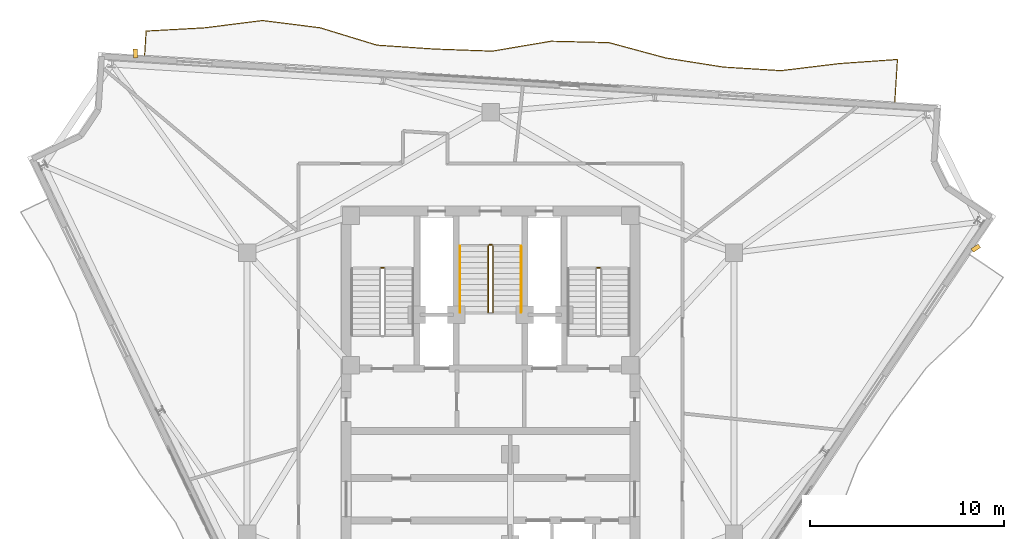
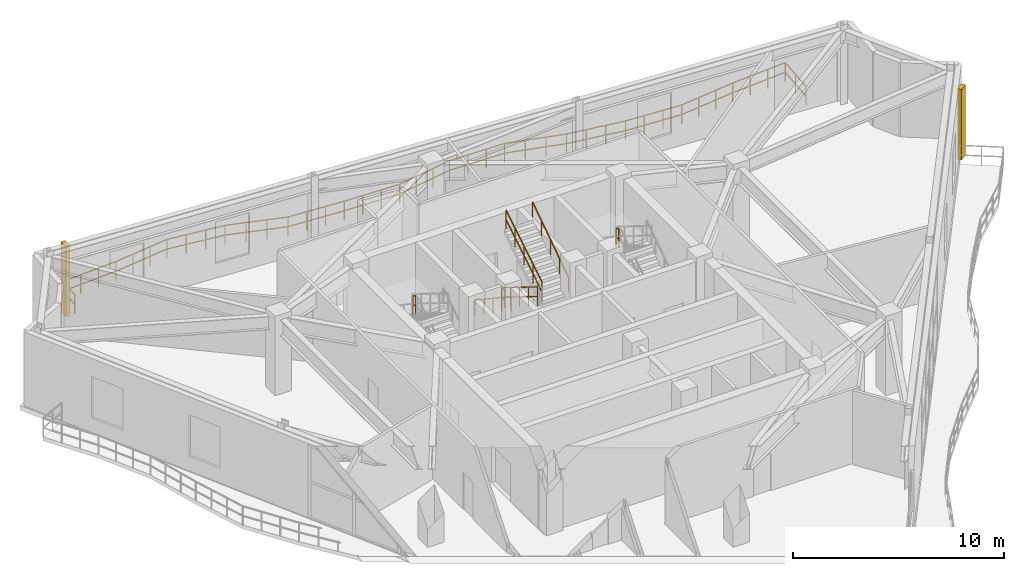
# One storey, part 15 of 15: 8 railings, 2 shading devices.
"""IFC4 building model written with IfcOpenShell, lengths in metres."""

from ifc_helpers import new_model, si_unit, direction, frame, origin, origin_2d, place, context, subcontext, project, spatial, rectangle, extrude, material, type_object, element, save


model = new_model("IFC4")

# Units and contexts
model_context = context("Model", 3, precision=1e-05, world=origin(), true_north=direction((0.0, 1.0)))
body_context = subcontext(model_context, "Body", "Model", "MODEL_VIEW")
ifc_project = project(units=[si_unit("LENGTHUNIT", "METRE"), si_unit("AREAUNIT", "SQUARE_METRE"), si_unit("VOLUMEUNIT", "CUBIC_METRE"), si_unit("PLANEANGLEUNIT", "RADIAN"), si_unit("MASSUNIT", "GRAM", prefix="KILO")], contexts=[model_context])

# Site, building, storey
site_placement = place(None, origin())
site = spatial("IfcSite", under=ifc_project, at=site_placement, CompositionType="ELEMENT")
building_placement = place(site_placement, origin())
building = spatial("IfcBuilding", under=site, at=building_placement, Name="Apsidion Concourse Tower", CompositionType="ELEMENT")
storey_placement = place(building_placement, frame((0.0, 0.0, 323.39990234375)))
storey = spatial("IfcBuildingStorey", under=building, at=storey_placement, Name="L76", CompositionType="ELEMENT", Elevation=323.39990234375)

# Railings
ifc_material_1 = material(Name="Brushed stainless steel 316", Category="steel")
railing_type_1 = type_object("IfcRailingType", Name="RL-BAL-1120", PredefinedType="BALUSTRADE", material=ifc_material_1)
railing_1_placement = place(storey_placement, frame((-17.848388671875, 17.43896484375, 0.0)))
element("IfcRailing", 1, at=railing_1_placement, inside=storey, type_object=railing_type_1, Name="L76 Face 3 Rippling Balcony Balustrade", PredefinedType="BALUSTRADE", context=body_context, shape_type="SweptSolid", body=[
    extrude(rectangle(XDim=0.048095703125, YDim=0.048095703125, at=origin_2d()), frame((0.0, 0.0, 1.09619140625), z_axis=(0.06230532804, 0.998057135688, 0.0), x_axis=(-0.998057135688, 0.06230532804, 0.0)), (0.0, 0.0, 1.0), 1.25),
    extrude(rectangle(XDim=0.048095703125, YDim=0.048095703125, at=origin_2d()), frame((0.0, 0.0, 0.5361328125), z_axis=(0.06230532804, 0.998057135688, 0.0), x_axis=(-0.998057135688, 0.06230532804, 0.0)), (0.0, 0.0, 1.0), 1.25),
    extrude(rectangle(XDim=0.048095703125, YDim=0.048095703125, at=origin_2d()), frame((0.077880859375, 1.24755859375, 1.09619140625), z_axis=(0.998480296374, 0.055109869826, 0.0), x_axis=(-0.055109869826, 0.998480296374, 0.0)), (0.0, 0.0, 1.0), 3.003662109375),
    extrude(rectangle(XDim=0.048095703125, YDim=0.048095703125, at=origin_2d()), frame((0.077880859375, 1.24755859375, 0.5361328125), z_axis=(0.998480296374, 0.055109869826, 0.0), x_axis=(-0.055109869826, 0.998480296374, 0.0)), (0.0, 0.0, 1.0), 3.003662109375),
    extrude(rectangle(XDim=0.048095703125, YDim=0.048095703125, at=origin_2d()), frame((3.076904296875, 1.4130859375, 1.09619140625), z_axis=(0.992203478632, 0.124628475841, 0.0), x_axis=(-0.124628475841, 0.992203478632, 0.0)), (0.0, 0.0, 1.0), 3.036376953125),
    extrude(rectangle(XDim=0.048095703125, YDim=0.048095703125, at=origin_2d()), frame((3.076904296875, 1.4130859375, 0.5361328125), z_axis=(0.992203478632, 0.124628475841, 0.0), x_axis=(-0.124628475841, 0.992203478632, 0.0)), (0.0, 0.0, 1.0), 3.036376953125),
    extrude(rectangle(XDim=0.048095703125, YDim=0.048095703125, at=origin_2d()), frame((6.089599609375, 1.79150390625, 1.09619140625), z_axis=(0.992128880455, -0.125220943005, 0.0), x_axis=(0.125220943005, 0.992128880455, 0.0)), (0.0, 0.0, 1.0), 2.98876953125),
    extrude(rectangle(XDim=0.048095703125, YDim=0.048095703125, at=origin_2d()), frame((6.089599609375, 1.79150390625, 0.5361328125), z_axis=(0.992128880455, -0.125220943005, 0.0), x_axis=(0.125220943005, 0.992128880455, 0.0)), (0.0, 0.0, 1.0), 2.98876953125),
    extrude(rectangle(XDim=0.048095703125, YDim=0.048095703125, at=origin_2d()), frame((9.054931640625, 1.417236328125, 1.09619140625), z_axis=(0.95632808647, -0.29229538318, 0.0), x_axis=(0.29229538318, 0.95632808647, 0.0)), (0.0, 0.0, 1.0), 3.067138671875),
    extrude(rectangle(XDim=0.048095703125, YDim=0.048095703125, at=origin_2d()), frame((9.054931640625, 1.417236328125, 0.5361328125), z_axis=(0.95632808647, -0.29229538318, 0.0), x_axis=(0.29229538318, 0.95632808647, 0.0)), (0.0, 0.0, 1.0), 3.067138671875),
    extrude(rectangle(XDim=0.048095703125, YDim=0.048095703125, at=origin_2d()), frame((11.988037109375, 0.520751953125, 1.09619140625), z_axis=(0.997718026043, -0.067518445696, 0.0), x_axis=(0.067518445696, 0.997718026043, 0.0)), (0.0, 0.0, 1.0), 2.983154296875),
    extrude(rectangle(XDim=0.048095703125, YDim=0.048095703125, at=origin_2d()), frame((11.988037109375, 0.520751953125, 0.5361328125), z_axis=(0.997718026043, -0.067518445696, 0.0), x_axis=(0.067518445696, 0.997718026043, 0.0)), (0.0, 0.0, 1.0), 2.983154296875),
    extrude(rectangle(XDim=0.048095703125, YDim=0.048095703125, at=origin_2d()), frame((14.96435546875, 0.3193359375, 1.09619140625), z_axis=(0.999363583694, -0.035671102946, 0.0), x_axis=(0.035671102946, 0.999363583694, 0.0)), (0.0, 0.0, 1.0), 2.984130859375),
    extrude(rectangle(XDim=0.048095703125, YDim=0.048095703125, at=origin_2d()), frame((14.96435546875, 0.3193359375, 0.5361328125), z_axis=(0.999363583694, -0.035671102946, 0.0), x_axis=(0.035671102946, 0.999363583694, 0.0)), (0.0, 0.0, 1.0), 2.984130859375),
    extrude(rectangle(XDim=0.048095703125, YDim=0.048095703125, at=origin_2d()), frame((17.946533203125, 0.212890625, 1.09619140625), z_axis=(0.985992581519, 0.166789175876, 0.0), x_axis=(-0.166789175876, 0.985992581519, 0.0)), (0.0, 0.0, 1.0), 3.063720703125),
    extrude(rectangle(XDim=0.048095703125, YDim=0.048095703125, at=origin_2d()), frame((17.946533203125, 0.212890625, 0.5361328125), z_axis=(0.985992581519, 0.166789175876, 0.0), x_axis=(-0.166789175876, 0.985992581519, 0.0)), (0.0, 0.0, 1.0), 3.063720703125),
    extrude(rectangle(XDim=0.048095703125, YDim=0.048095703125, at=origin_2d()), frame((20.96728515625, 0.723876953125, 1.09619140625), z_axis=(0.999712861467, -0.023962358345, 0.0), x_axis=(0.023962358345, 0.999712861467, 0.0)), (0.0, 0.0, 1.0), 2.9853515625),
    extrude(rectangle(XDim=0.048095703125, YDim=0.048095703125, at=origin_2d()), frame((20.96728515625, 0.723876953125, 0.5361328125), z_axis=(0.999712861467, -0.023962358345, 0.0), x_axis=(0.023962358345, 0.999712861467, 0.0)), (0.0, 0.0, 1.0), 2.9853515625),
    extrude(rectangle(XDim=0.048095703125, YDim=0.048095703125, at=origin_2d()), frame((23.95166015625, 0.65234375, 1.09619140625), z_axis=(0.965425046671, -0.260680799562, 0.0), x_axis=(0.260680799562, 0.965425046671, 0.0)), (0.0, 0.0, 1.0), 3.044677734375),
    extrude(rectangle(XDim=0.048095703125, YDim=0.048095703125, at=origin_2d()), frame((23.95166015625, 0.65234375, 0.5361328125), z_axis=(0.965425046671, -0.260680799562, 0.0), x_axis=(0.260680799562, 0.965425046671, 0.0)), (0.0, 0.0, 1.0), 3.044677734375),
    extrude(rectangle(XDim=0.048095703125, YDim=0.048095703125, at=origin_2d()), frame((26.89111328125, -0.141357421875, 1.09619140625), z_axis=(0.98773983276, -0.156109009285, 0.0), x_axis=(0.156109009285, 0.98773983276, 0.0)), (0.0, 0.0, 1.0), 2.996337890625),
    extrude(rectangle(XDim=0.048095703125, YDim=0.048095703125, at=origin_2d()), frame((26.89111328125, -0.141357421875, 0.5361328125), z_axis=(0.98773983276, -0.156109009285, 0.0), x_axis=(0.156109009285, 0.98773983276, 0.0)), (0.0, 0.0, 1.0), 2.996337890625),
    extrude(rectangle(XDim=0.048095703125, YDim=0.048095703125, at=origin_2d()), frame((29.850830078125, -0.609130859375, 1.09619140625), z_axis=(0.998058624336, -0.062281477091, 0.0), x_axis=(0.062281477091, 0.998058624336, 0.0)), (0.0, 0.0, 1.0), 2.983154296875),
    extrude(rectangle(XDim=0.048095703125, YDim=0.048095703125, at=origin_2d()), frame((29.850830078125, -0.609130859375, 0.5361328125), z_axis=(0.998058624336, -0.062281477091, 0.0), x_axis=(0.062281477091, 0.998058624336, 0.0)), (0.0, 0.0, 1.0), 2.983154296875),
    extrude(rectangle(XDim=0.048095703125, YDim=0.048095703125, at=origin_2d()), frame((32.828125, -0.794921875, 1.09619140625), z_axis=(0.992697908127, 0.120626958843, 0.0), x_axis=(-0.120626958843, 0.992697908127, 0.0)), (0.0, 0.0, 1.0), 3.033935546875),
    extrude(rectangle(XDim=0.048095703125, YDim=0.048095703125, at=origin_2d()), frame((32.828125, -0.794921875, 0.5361328125), z_axis=(0.992697908127, 0.120626958843, 0.0), x_axis=(-0.120626958843, 0.992697908127, 0.0)), (0.0, 0.0, 1.0), 3.033935546875),
    extrude(rectangle(XDim=0.048095703125, YDim=0.048095703125, at=origin_2d()), frame((35.83984375, -0.428955078125, 1.09619140625), z_axis=(0.997540396011, 0.070093925029, 0.0), x_axis=(-0.070093925029, 0.997540396011, 0.0)), (0.0, 0.0, 1.0), 3.00927734375),
    extrude(rectangle(XDim=0.048095703125, YDim=0.048095703125, at=origin_2d()), frame((35.83984375, -0.428955078125, 0.5361328125), z_axis=(0.997540396011, 0.070093925029, 0.0), x_axis=(-0.070093925029, 0.997540396011, 0.0)), (0.0, 0.0, 1.0), 3.00927734375),
    extrude(rectangle(XDim=0.048095703125, YDim=0.048095703125, at=origin_2d()), frame((38.841796875, -0.218017578125, 1.09619140625), z_axis=(-0.062253930663, -0.998060342924, 0.0), x_axis=(0.998060342924, -0.062253930663, 0.0)), (0.0, 0.0, 1.0), 2.199951171875),
    extrude(rectangle(XDim=0.048095703125, YDim=0.048095703125, at=origin_2d()), frame((38.841796875, -0.218017578125, 0.5361328125), z_axis=(-0.062253930663, -0.998060342924, 0.0), x_axis=(0.998060342924, -0.062253930663, 0.0)), (0.0, 0.0, 1.0), 2.199951171875),
    extrude(rectangle(XDim=0.0419921875, YDim=0.0419921875, at=origin_2d()), origin(), (0.0, 0.0, 1.0), 1.072021484375),
    extrude(rectangle(XDim=0.0419921875, YDim=0.0419921875, at=origin_2d()), frame((0.0390625, 0.623779296875, 0.0)), (0.0, 0.0, 1.0), 1.072021484375),
    extrude(rectangle(XDim=0.0419921875, YDim=0.0419921875, at=origin_2d()), frame((0.077880859375, 1.24755859375, 0.0)), (0.0, 0.0, 1.0), 1.072021484375),
    extrude(rectangle(XDim=0.0419921875, YDim=0.0419921875, at=origin_2d()), frame((1.07763671875, 1.302734375, 0.0)), (0.0, 0.0, 1.0), 1.072021484375),
    extrude(rectangle(XDim=0.0419921875, YDim=0.0419921875, at=origin_2d()), frame((2.0771484375, 1.35791015625, 0.0)), (0.0, 0.0, 1.0), 1.072021484375),
    extrude(rectangle(XDim=0.0419921875, YDim=0.0419921875, at=origin_2d()), frame((3.076904296875, 1.4130859375, 0.0)), (0.0, 0.0, 1.0), 1.072021484375),
    extrude(rectangle(XDim=0.0419921875, YDim=0.0419921875, at=origin_2d()), frame((4.0810546875, 1.539306640625, 0.0)), (0.0, 0.0, 1.0), 1.072021484375),
    extrude(rectangle(XDim=0.0419921875, YDim=0.0419921875, at=origin_2d()), frame((5.08544921875, 1.665283203125, 0.0)), (0.0, 0.0, 1.0), 1.072021484375),
    extrude(rectangle(XDim=0.0419921875, YDim=0.0419921875, at=origin_2d()), frame((6.089599609375, 1.79150390625, 0.0)), (0.0, 0.0, 1.0), 1.072021484375),
    extrude(rectangle(XDim=0.0419921875, YDim=0.0419921875, at=origin_2d()), frame((7.078125, 1.666748046875, 0.0)), (0.0, 0.0, 1.0), 1.072021484375),
    extrude(rectangle(XDim=0.0419921875, YDim=0.0419921875, at=origin_2d()), frame((8.06640625, 1.5419921875, 0.0)), (0.0, 0.0, 1.0), 1.072021484375),
    extrude(rectangle(XDim=0.0419921875, YDim=0.0419921875, at=origin_2d()), frame((9.054931640625, 1.417236328125, 0.0)), (0.0, 0.0, 1.0), 1.072021484375),
    extrude(rectangle(XDim=0.0419921875, YDim=0.0419921875, at=origin_2d()), frame((10.03271484375, 1.118408203125, 0.0)), (0.0, 0.0, 1.0), 1.072021484375),
    extrude(rectangle(XDim=0.0419921875, YDim=0.0419921875, at=origin_2d()), frame((11.01025390625, 0.819580078125, 0.0)), (0.0, 0.0, 1.0), 1.072021484375),
    extrude(rectangle(XDim=0.0419921875, YDim=0.0419921875, at=origin_2d()), frame((11.988037109375, 0.520751953125, 0.0)), (0.0, 0.0, 1.0), 1.072021484375),
    extrude(rectangle(XDim=0.0419921875, YDim=0.0419921875, at=origin_2d()), frame((12.980224609375, 0.45361328125, 0.0)), (0.0, 0.0, 1.0), 1.072021484375),
    extrude(rectangle(XDim=0.0419921875, YDim=0.0419921875, at=origin_2d()), frame((13.97216796875, 0.386474609375, 0.0)), (0.0, 0.0, 1.0), 1.072021484375),
    extrude(rectangle(XDim=0.0419921875, YDim=0.0419921875, at=origin_2d()), frame((14.96435546875, 0.3193359375, 0.0)), (0.0, 0.0, 1.0), 1.072021484375),
    extrude(rectangle(XDim=0.0419921875, YDim=0.0419921875, at=origin_2d()), frame((15.95849609375, 0.283935546875, 0.0)), (0.0, 0.0, 1.0), 1.072021484375),
    extrude(rectangle(XDim=0.0419921875, YDim=0.0419921875, at=origin_2d()), frame((16.952392578125, 0.248291015625, 0.0)), (0.0, 0.0, 1.0), 1.072021484375),
    extrude(rectangle(XDim=0.0419921875, YDim=0.0419921875, at=origin_2d()), frame((17.946533203125, 0.212890625, 0.0)), (0.0, 0.0, 1.0), 1.072021484375),
    extrude(rectangle(XDim=0.0419921875, YDim=0.0419921875, at=origin_2d()), frame((18.953369140625, 0.38330078125, 0.0)), (0.0, 0.0, 1.0), 1.072021484375),
    extrude(rectangle(XDim=0.0419921875, YDim=0.0419921875, at=origin_2d()), frame((19.96044921875, 0.553466796875, 0.0)), (0.0, 0.0, 1.0), 1.072021484375),
    extrude(rectangle(XDim=0.0419921875, YDim=0.0419921875, at=origin_2d()), frame((20.96728515625, 0.723876953125, 0.0)), (0.0, 0.0, 1.0), 1.072021484375),
    extrude(rectangle(XDim=0.0419921875, YDim=0.0419921875, at=origin_2d()), frame((21.962158203125, 0.699951171875, 0.0)), (0.0, 0.0, 1.0), 1.072021484375),
    extrude(rectangle(XDim=0.0419921875, YDim=0.0419921875, at=origin_2d()), frame((22.956787109375, 0.67626953125, 0.0)), (0.0, 0.0, 1.0), 1.072021484375),
    extrude(rectangle(XDim=0.0419921875, YDim=0.0419921875, at=origin_2d()), frame((23.95166015625, 0.65234375, 0.0)), (0.0, 0.0, 1.0), 1.072021484375),
    extrude(rectangle(XDim=0.0419921875, YDim=0.0419921875, at=origin_2d()), frame((24.931396484375, 0.3876953125, 0.0)), (0.0, 0.0, 1.0), 1.072021484375),
    extrude(rectangle(XDim=0.0419921875, YDim=0.0419921875, at=origin_2d()), frame((25.911376953125, 0.123291015625, 0.0)), (0.0, 0.0, 1.0), 1.072021484375),
    extrude(rectangle(XDim=0.0419921875, YDim=0.0419921875, at=origin_2d()), frame((26.89111328125, -0.141357421875, 0.0)), (0.0, 0.0, 1.0), 1.072021484375),
    extrude(rectangle(XDim=0.0419921875, YDim=0.0419921875, at=origin_2d()), frame((27.877685546875, -0.29736328125, 0.0)), (0.0, 0.0, 1.0), 1.072021484375),
    extrude(rectangle(XDim=0.0419921875, YDim=0.0419921875, at=origin_2d()), frame((28.8642578125, -0.453125, 0.0)), (0.0, 0.0, 1.0), 1.072021484375),
    extrude(rectangle(XDim=0.0419921875, YDim=0.0419921875, at=origin_2d()), frame((29.850830078125, -0.609130859375, 0.0)), (0.0, 0.0, 1.0), 1.072021484375),
    extrude(rectangle(XDim=0.0419921875, YDim=0.0419921875, at=origin_2d()), frame((30.84326171875, -0.671142578125, 0.0)), (0.0, 0.0, 1.0), 1.072021484375),
    extrude(rectangle(XDim=0.0419921875, YDim=0.0419921875, at=origin_2d()), frame((31.835693359375, -0.73291015625, 0.0)), (0.0, 0.0, 1.0), 1.072021484375),
    extrude(rectangle(XDim=0.0419921875, YDim=0.0419921875, at=origin_2d()), frame((32.828125, -0.794921875, 0.0)), (0.0, 0.0, 1.0), 1.072021484375),
    extrude(rectangle(XDim=0.0419921875, YDim=0.0419921875, at=origin_2d()), frame((33.83203125, -0.6728515625, 0.0)), (0.0, 0.0, 1.0), 1.072021484375),
    extrude(rectangle(XDim=0.0419921875, YDim=0.0419921875, at=origin_2d()), frame((34.8359375, -0.551025390625, 0.0)), (0.0, 0.0, 1.0), 1.072021484375),
    extrude(rectangle(XDim=0.0419921875, YDim=0.0419921875, at=origin_2d()), frame((35.83984375, -0.428955078125, 0.0)), (0.0, 0.0, 1.0), 1.072021484375),
    extrude(rectangle(XDim=0.0419921875, YDim=0.0419921875, at=origin_2d()), frame((36.840576171875, -0.358642578125, 0.0)), (0.0, 0.0, 1.0), 1.072021484375),
    extrude(rectangle(XDim=0.0419921875, YDim=0.0419921875, at=origin_2d()), frame((37.841064453125, -0.288330078125, 0.0)), (0.0, 0.0, 1.0), 1.072021484375),
    extrude(rectangle(XDim=0.0419921875, YDim=0.0419921875, at=origin_2d()), frame((38.841796875, -0.218017578125, 0.0)), (0.0, 0.0, 1.0), 1.072021484375),
    extrude(rectangle(XDim=0.0419921875, YDim=0.0419921875, at=origin_2d()), frame((38.7734375, -1.31591796875, 0.0)), (0.0, 0.0, 1.0), 1.072021484375),
    extrude(rectangle(XDim=0.0419921875, YDim=0.0419921875, at=origin_2d()), frame((38.704833984375, -2.413818359375, 0.0)), (0.0, 0.0, 1.0), 1.072021484375),
])
railing_type_2 = type_object("IfcRailingType", Name="RL-GUARD-1100", PredefinedType="GUARDRAIL", material=ifc_material_1)
for number, where, name in (
    (2, (-5.5, 6.469970703125, 2.300048828125), "L76 ST1 stair guard 2"),
    (3, (5.64990234375, 6.469970703125, 2.300048828125), "L76 ST2 stair guard 2"),
):
    element("IfcRailing", number, at=place(storey_placement, frame(where)), inside=storey, type_object=railing_type_2, Name=name, PredefinedType="GUARDRAIL", context=body_context, shape_type="SweptSolid", body=[
        extrude(rectangle(XDim=0.048095703125, YDim=0.048095703125, at=origin_2d()), frame((0.0, 0.0, 1.09619140625), z_axis=(-1.0, 0.0, 0.0), x_axis=(0.0, -1.0, 0.0)), (0.0, 0.0, 1.0), 0.14990234375),
        extrude(rectangle(XDim=0.048095703125, YDim=0.048095703125, at=origin_2d()), frame((0.0, 0.0, 0.5361328125), z_axis=(-1.0, 0.0, 0.0), x_axis=(0.0, -1.0, 0.0)), (0.0, 0.0, 1.0), 0.14990234375),
        extrude(rectangle(XDim=0.0419921875, YDim=0.0419921875, at=origin_2d()), origin(), (0.0, 0.0, 1.0), 1.072021484375),
        extrude(rectangle(XDim=0.0419921875, YDim=0.0419921875, at=origin_2d()), frame((-0.14990234375, 0.0, 0.0)), (0.0, 0.0, 1.0), 1.072021484375),
    ])
railing_2_placement = place(storey_placement, frame((-0.125, 7.60009765625, 0.177001953125)))
element("IfcRailing", 4, at=railing_2_placement, inside=storey, type_object=railing_type_2, Name="L76 ST3 stair guard 1", PredefinedType="GUARDRAIL", context=body_context, shape_type="SweptSolid", body=[
    extrude(rectangle(XDim=0.048095703125, YDim=0.048095703125, at=origin_2d()), frame((0.0, 0.0, 1.09619140625), z_axis=(0.0, -0.849619550393, 0.527396074682), x_axis=(1.0, 0.0, 0.0)), (0.0, 0.0, 1.0), 4.025634765625),
    extrude(rectangle(XDim=0.048095703125, YDim=0.048095703125, at=origin_2d()), frame((0.0, 0.0, 0.5361328125), z_axis=(0.0, -0.849619550393, 0.527396074682), x_axis=(1.0, 0.0, 0.0)), (0.0, 0.0, 1.0), 4.025634765625),
    extrude(rectangle(XDim=0.0419921875, YDim=0.0419921875, at=origin_2d()), origin(), (0.0, 0.0, 1.0), 1.072021484375),
    extrude(rectangle(XDim=0.0419921875, YDim=0.0419921875, at=origin_2d()), frame((0.0, -0.85498046875, 0.53076171875)), (0.0, 0.0, 1.0), 1.072021484375),
    extrude(rectangle(XDim=0.0419921875, YDim=0.0419921875, at=origin_2d()), frame((0.0, -1.7099609375, 1.0615234375)), (0.0, 0.0, 1.0), 1.072021484375),
    extrude(rectangle(XDim=0.0419921875, YDim=0.0419921875, at=origin_2d()), frame((0.0, -2.565185546875, 1.59228515625)), (0.0, 0.0, 1.0), 1.072021484375),
    extrude(rectangle(XDim=0.0419921875, YDim=0.0419921875, at=origin_2d()), frame((0.0, -3.420166015625, 2.123046875)), (0.0, 0.0, 1.0), 1.072021484375),
])
railing_3_placement = place(storey_placement, frame((0.125, 4.179931640625, 2.47705078125)))
element("IfcRailing", 5, at=railing_3_placement, inside=storey, type_object=railing_type_2, Name="L76 ST3 stair guard 3", PredefinedType="GUARDRAIL", context=body_context, shape_type="SweptSolid", body=[
    extrude(rectangle(XDim=0.048095703125, YDim=0.048095703125, at=origin_2d()), frame((0.0, 0.0, 1.09619140625), z_axis=(0.0, 0.849619550393, 0.527396074682), x_axis=(-1.0, 0.0, 0.0)), (0.0, 0.0, 1.0), 4.025634765625),
    extrude(rectangle(XDim=0.048095703125, YDim=0.048095703125, at=origin_2d()), frame((0.0, 0.0, 0.5361328125), z_axis=(0.0, 0.849619550393, 0.527396074682), x_axis=(-1.0, 0.0, 0.0)), (0.0, 0.0, 1.0), 4.025634765625),
    extrude(rectangle(XDim=0.0419921875, YDim=0.0419921875, at=origin_2d()), origin(), (0.0, 0.0, 1.0), 1.072021484375),
    extrude(rectangle(XDim=0.0419921875, YDim=0.0419921875, at=origin_2d()), frame((0.0, 0.85498046875, 0.53076171875)), (0.0, 0.0, 1.0), 1.072021484375),
    extrude(rectangle(XDim=0.0419921875, YDim=0.0419921875, at=origin_2d()), frame((0.0, 1.7099609375, 1.0615234375)), (0.0, 0.0, 1.0), 1.072021484375),
    extrude(rectangle(XDim=0.0419921875, YDim=0.0419921875, at=origin_2d()), frame((0.0, 2.565185546875, 1.59228515625)), (0.0, 0.0, 1.0), 1.072021484375),
    extrude(rectangle(XDim=0.0419921875, YDim=0.0419921875, at=origin_2d()), frame((0.0, 3.420166015625, 2.123046875)), (0.0, 0.0, 1.0), 1.072021484375),
])
railing_4_placement = place(storey_placement, frame((-0.074951171875, 7.64990234375, 0.0)))
element("IfcRailing", 6, at=railing_4_placement, inside=storey, type_object=railing_type_2, Name="L76 ST3 stair guard 4", PredefinedType="GUARDRAIL", context=body_context, shape_type="SweptSolid", body=[
    extrude(rectangle(XDim=0.048095703125, YDim=0.048095703125, at=origin_2d()), frame((0.0, 0.0, 1.09619140625), z_axis=(1.0, 0.0, 0.0), x_axis=(0.0, 1.0, 0.0)), (0.0, 0.0, 1.0), 0.14990234375),
    extrude(rectangle(XDim=0.048095703125, YDim=0.048095703125, at=origin_2d()), frame((0.0, 0.0, 0.5361328125), z_axis=(1.0, 0.0, 0.0), x_axis=(0.0, 1.0, 0.0)), (0.0, 0.0, 1.0), 0.14990234375),
    extrude(rectangle(XDim=0.0419921875, YDim=0.0419921875, at=origin_2d()), origin(), (0.0, 0.0, 1.0), 1.072021484375),
    extrude(rectangle(XDim=0.0419921875, YDim=0.0419921875, at=origin_2d()), frame((0.14990234375, 0.0, 0.0)), (0.0, 0.0, 1.0), 1.072021484375),
])
railing_type_3 = type_object("IfcRailingType", Name="RL-HAND-900", PredefinedType="HANDRAIL", material=ifc_material_1)
railing_5_placement = place(storey_placement, frame((-1.574951171875, 7.60009765625, 0.177001953125)))
element("IfcRailing", 7, at=railing_5_placement, inside=storey, type_object=railing_type_3, Name="L76 ST3 stair handrail 1", PredefinedType="HANDRAIL", context=body_context, shape_type="SweptSolid", body=[
    extrude(rectangle(XDim=0.048095703125, YDim=0.048095703125, at=origin_2d()), frame((0.0, 0.0, 0.8759765625), z_axis=(0.0, -0.829810883491, 0.558044709356), x_axis=(1.0, 0.0, 0.0)), (0.0, 0.0, 1.0), 4.12158203125),
    extrude(rectangle(XDim=0.0419921875, YDim=0.0419921875, at=origin_2d()), origin(), (0.0, 0.0, 1.0), 0.851806640625),
    extrude(rectangle(XDim=0.0419921875, YDim=0.0419921875, at=origin_2d()), frame((0.0, -0.85498046875, 0.574951171875)), (0.0, 0.0, 1.0), 0.851806640625),
    extrude(rectangle(XDim=0.0419921875, YDim=0.0419921875, at=origin_2d()), frame((0.0, -1.7099609375, 1.14990234375)), (0.0, 0.0, 1.0), 0.851806640625),
    extrude(rectangle(XDim=0.0419921875, YDim=0.0419921875, at=origin_2d()), frame((0.0, -2.565185546875, 1.72509765625)), (0.0, 0.0, 1.0), 0.851806640625),
    extrude(rectangle(XDim=0.0419921875, YDim=0.0419921875, at=origin_2d()), frame((0.0, -3.420166015625, 2.300048828125)), (0.0, 0.0, 1.0), 0.851806640625),
])
railing_6_placement = place(storey_placement, frame((1.574951171875, 4.179931640625, 2.47705078125)))
element("IfcRailing", 8, at=railing_6_placement, inside=storey, type_object=railing_type_3, Name="L76 ST3 stair handrail 2", PredefinedType="HANDRAIL", context=body_context, shape_type="SweptSolid", body=[
    extrude(rectangle(XDim=0.048095703125, YDim=0.048095703125, at=origin_2d()), frame((0.0, 0.0, 0.8759765625), z_axis=(0.0, 0.829810883491, 0.558044709356), x_axis=(-1.0, 0.0, 0.0)), (0.0, 0.0, 1.0), 4.12158203125),
    extrude(rectangle(XDim=0.0419921875, YDim=0.0419921875, at=origin_2d()), origin(), (0.0, 0.0, 1.0), 0.851806640625),
    extrude(rectangle(XDim=0.0419921875, YDim=0.0419921875, at=origin_2d()), frame((0.0, 0.85498046875, 0.574951171875)), (0.0, 0.0, 1.0), 0.851806640625),
    extrude(rectangle(XDim=0.0419921875, YDim=0.0419921875, at=origin_2d()), frame((0.0, 1.7099609375, 1.14990234375)), (0.0, 0.0, 1.0), 0.851806640625),
    extrude(rectangle(XDim=0.0419921875, YDim=0.0419921875, at=origin_2d()), frame((0.0, 2.565185546875, 1.72509765625)), (0.0, 0.0, 1.0), 0.851806640625),
    extrude(rectangle(XDim=0.0419921875, YDim=0.0419921875, at=origin_2d()), frame((0.0, 3.420166015625, 2.300048828125)), (0.0, 0.0, 1.0), 0.851806640625),
])

# Shading devices
ifc_material_2 = material(Name="Anodised aluminium EN AW-6063 T6", Category="aluminium")
shading_device_type = type_object("IfcShadingDeviceType", Name="SH-FIN-STONE", PredefinedType="USERDEFINED", material=ifc_material_2)
for number, where, z_axis, x_axis, name in (
    (9, (-18.31640625, 17.5283203125, 0.10009765625), (0.0, 0.0, 1.0), (0.998059468659, 0.062267945373, 0.0), "L76 Facade Vertical Solar Fin 1"),
    (10, (25.033203125, 7.481201171875, 0.10009765625), (0.0, 0.0, 1.0), (-0.559192903471, 0.829037572555, 0.0), "L76 Facade Vertical Solar Fin 5"),
):
    element("IfcShadingDevice", number, at=place(storey_placement, frame(where, z_axis=z_axis, x_axis=x_axis)), inside=storey, type_object=shading_device_type, Name=name, ObjectType="FIN", PredefinedType="USERDEFINED", context=body_context, shape_type="SweptSolid", body=[
        extrude(rectangle(XDim=0.219970703125, YDim=0.449951171875, at=origin_2d()), origin(), (0.0, 0.0, 1.0), 4.10009765625),
    ])

save(model, "model.ifc")
